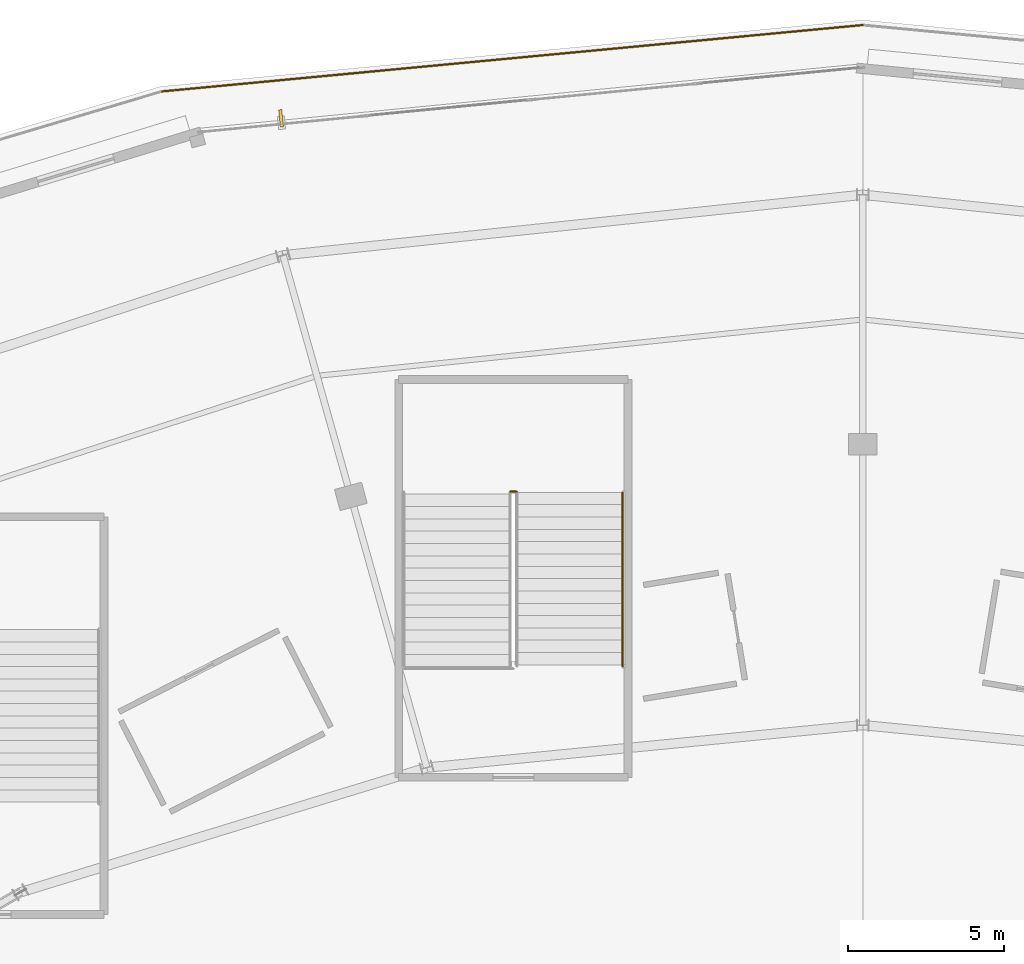
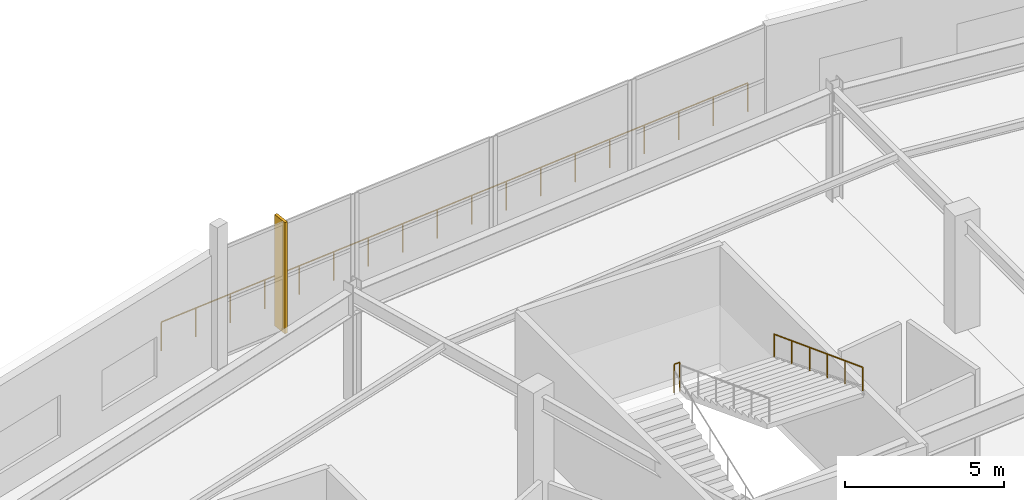
# One storey, part 116 of 123: 3 railings, 1 shading device.
"""IFC4 building model written with IfcOpenShell, lengths in metres."""

from ifc_helpers import new_model, si_unit, direction, frame, origin, origin_2d, place, context, subcontext, project, spatial, rectangle, circle, extrude, material, layer, layer_set, type_object, element, save


model = new_model("IFC4")

# Units and contexts
model_context = context("Model", 3, precision=1e-05, world=origin(), true_north=direction((0.0, 1.0)))
body_context = subcontext(model_context, "Body", "Model", "MODEL_VIEW")
ifc_project = project(units=[si_unit("LENGTHUNIT", "METRE"), si_unit("AREAUNIT", "SQUARE_METRE"), si_unit("VOLUMEUNIT", "CUBIC_METRE"), si_unit("PLANEANGLEUNIT", "RADIAN"), si_unit("MASSUNIT", "GRAM", prefix="KILO")], contexts=[model_context])

# Site, building, storey
site_placement = place(None, origin())
site = spatial("IfcSite", under=ifc_project, at=site_placement, CompositionType="ELEMENT")
building_placement = place(site_placement, origin())
building = spatial("IfcBuilding", under=site, at=building_placement, Name="Kalgoora Escarpment Arena", CompositionType="ELEMENT")
storey_placement = place(building_placement, frame((0.0, 0.0, 9.89990234375)))
storey = spatial("IfcBuildingStorey", under=building, at=storey_placement, Name="L02", CompositionType="ELEMENT", Elevation=9.89990234375)

# Railings
ifc_material_1 = material(Name="Galvanised & powdercoated tubular steel", Category="steel")
railing_type_1 = type_object("IfcRailingType", Name="RAL-GUARD-1120", PredefinedType="GUARDRAIL", material=ifc_material_1)
railing_1_placement = place(storey_placement, frame((81.10009765625, 111.47998046875, 2.25)))
element("IfcRailing", 1, at=railing_1_placement, inside=storey, type_object=railing_type_1, Name="ST10 L02 half-landing well guard", PredefinedType="GUARDRAIL", context=body_context, shape_type="SweptSolid", body=[
    extrude(circle(Radius=0.02392578125, at=origin_2d()), frame((0.0, 0.0, 1.09619140625), z_axis=(1.0, 0.0, 0.0), x_axis=(0.0, 1.0, 0.0)), (0.0, 0.0, 1.0), 0.199951171875),
    extrude(circle(Radius=0.02099609375, at=origin_2d()), origin(), (0.0, 0.0, 1.0), 1.072021484375),
    extrude(circle(Radius=0.02099609375, at=origin_2d()), frame((0.199951171875, 0.0, 0.0)), (0.0, 0.0, 1.0), 1.072021484375),
])
ifc_material_2 = material(Name="Brushed stainless steel 316 handrail", Category="steel")
railing_type_2 = type_object("IfcRailingType", Name="RAL-HAND-920", PredefinedType="HANDRAIL", material=ifc_material_2)
railing_2_placement = place(storey_placement, frame((84.699951171875, 111.449951171875, 2.360107421875)))
element("IfcRailing", 2, at=railing_2_placement, inside=storey, type_object=railing_type_2, Name="ST10 L02 pitched stair handrail F2R", PredefinedType="HANDRAIL", context=body_context, shape_type="SweptSolid", body=[
    extrude(circle(Radius=0.02392578125, at=origin_2d()), frame((0.0, 0.0, 0.89599609375), z_axis=(0.0, -0.935492612948, 0.353346248203), x_axis=(1.0, 0.0, 0.0)), (0.0, 0.0, 1.0), 5.943359375),
    extrude(circle(Radius=0.02099609375, at=origin_2d()), origin(), (0.0, 0.0, 1.0), 0.871826171875),
    extrude(circle(Radius=0.02099609375, at=origin_2d()), frame((0.0, -1.112060546875, 0.419921875)), (0.0, 0.0, 1.0), 0.871826171875),
    extrude(circle(Radius=0.02099609375, at=origin_2d()), frame((0.0, -2.22412109375, 0.840087890625)), (0.0, 0.0, 1.0), 0.871826171875),
    extrude(circle(Radius=0.02099609375, at=origin_2d()), frame((0.0, -3.3359375, 1.260009765625)), (0.0, 0.0, 1.0), 0.871826171875),
    extrude(circle(Radius=0.02099609375, at=origin_2d()), frame((0.0, -4.447998046875, 1.68017578125)), (0.0, 0.0, 1.0), 0.871826171875),
    extrude(circle(Radius=0.02099609375, at=origin_2d()), frame((0.0, -5.56005859375, 2.10009765625)), (0.0, 0.0, 1.0), 0.871826171875),
])
ifc_material_3 = material(Name="Champagne anodised aluminium & laminated glass", Category="aluminium")
railing_type_3 = type_object("IfcRailingType", Name="RAL-TERR-1100", PredefinedType="GUARDRAIL", material=ifc_material_3)
railing_3_placement = place(storey_placement, frame((69.913330078125, 124.30908203125, 0.0)))
element("IfcRailing", 3, at=railing_3_placement, inside=storey, type_object=railing_type_3, Name="Middle Planted Elliptical Garden Promenade perimeter guardrail 013", PredefinedType="GUARDRAIL", context=body_context, shape_type="SweptSolid", body=[
    extrude(circle(Radius=0.02392578125, at=origin_2d()), frame((0.0, 0.0, 1.09619140625), z_axis=(0.995543195936, 0.094306654194, 0.0), x_axis=(-0.094306654194, 0.995543195936, 0.0)), (0.0, 0.0, 1.0), 22.587158203125),
    extrude(circle(Radius=0.02099609375, at=origin_2d()), origin(), (0.0, 0.0, 1.0), 1.072021484375),
    extrude(circle(Radius=0.02099609375, at=origin_2d()), frame((1.32275390625, 0.125244140625, 0.0)), (0.0, 0.0, 1.0), 1.072021484375),
    extrude(circle(Radius=0.02099609375, at=origin_2d()), frame((2.6455078125, 0.25048828125, 0.0)), (0.0, 0.0, 1.0), 1.072021484375),
    extrude(circle(Radius=0.02099609375, at=origin_2d()), frame((3.96826171875, 0.3759765625, 0.0)), (0.0, 0.0, 1.0), 1.072021484375),
    extrude(circle(Radius=0.02099609375, at=origin_2d()), frame((5.291015625, 0.501220703125, 0.0)), (0.0, 0.0, 1.0), 1.072021484375),
    extrude(circle(Radius=0.02099609375, at=origin_2d()), frame((6.61376953125, 0.62646484375, 0.0)), (0.0, 0.0, 1.0), 1.072021484375),
    extrude(circle(Radius=0.02099609375, at=origin_2d()), frame((7.9365234375, 0.751708984375, 0.0)), (0.0, 0.0, 1.0), 1.072021484375),
    extrude(circle(Radius=0.02099609375, at=origin_2d()), frame((9.25927734375, 0.877197265625, 0.0)), (0.0, 0.0, 1.0), 1.072021484375),
    extrude(circle(Radius=0.02099609375, at=origin_2d()), frame((10.58203125, 1.00244140625, 0.0)), (0.0, 0.0, 1.0), 1.072021484375),
    extrude(circle(Radius=0.02099609375, at=origin_2d()), frame((11.904541015625, 1.127685546875, 0.0)), (0.0, 0.0, 1.0), 1.072021484375),
    extrude(circle(Radius=0.02099609375, at=origin_2d()), frame((13.227294921875, 1.2529296875, 0.0)), (0.0, 0.0, 1.0), 1.072021484375),
    extrude(circle(Radius=0.02099609375, at=origin_2d()), frame((14.550048828125, 1.37841796875, 0.0)), (0.0, 0.0, 1.0), 1.072021484375),
    extrude(circle(Radius=0.02099609375, at=origin_2d()), frame((15.872802734375, 1.503662109375, 0.0)), (0.0, 0.0, 1.0), 1.072021484375),
    extrude(circle(Radius=0.02099609375, at=origin_2d()), frame((17.195556640625, 1.62890625, 0.0)), (0.0, 0.0, 1.0), 1.072021484375),
    extrude(circle(Radius=0.02099609375, at=origin_2d()), frame((18.518310546875, 1.754150390625, 0.0)), (0.0, 0.0, 1.0), 1.072021484375),
    extrude(circle(Radius=0.02099609375, at=origin_2d()), frame((19.841064453125, 1.879638671875, 0.0)), (0.0, 0.0, 1.0), 1.072021484375),
    extrude(circle(Radius=0.02099609375, at=origin_2d()), frame((21.163818359375, 2.0048828125, 0.0)), (0.0, 0.0, 1.0), 1.072021484375),
    extrude(circle(Radius=0.02099609375, at=origin_2d()), frame((22.486572265625, 2.130126953125, 0.0)), (0.0, 0.0, 1.0), 1.072021484375),
])

# Shading device
ifc_material_4 = material(Name="Champagne anodised extruded aluminium", Category="aluminium")
ifc_layer = layer(ifc_material_4, 0.080078125)
ifc_layer_set = layer_set([ifc_layer], Name="SHD-FIN-CHAMP")
shading_device_type = type_object("IfcShadingDeviceType", Name="SHD-FIN-CHAMP", PredefinedType="USERDEFINED", material=ifc_layer_set)
shading_device_placement = place(storey_placement, frame((73.75439453125, 123.44580078125, 0.0), z_axis=(0.0, 0.0, 1.0), x_axis=(-0.096888076238, 0.995295283161, 0.0)))
element("IfcShadingDevice", 4, at=shading_device_placement, inside=storey, type_object=shading_device_type, Name="L02 champagne anodised solar fin 18", ObjectType="FIN", PredefinedType="USERDEFINED", context=body_context, shape_type="SweptSolid", body=[
    extrude(rectangle(XDim=0.56005859375, YDim=0.10009765625, at=origin_2d()), origin(), (0.0, 0.0, 1.0), 4.264892578125),
])

save(model, "model.ifc")
